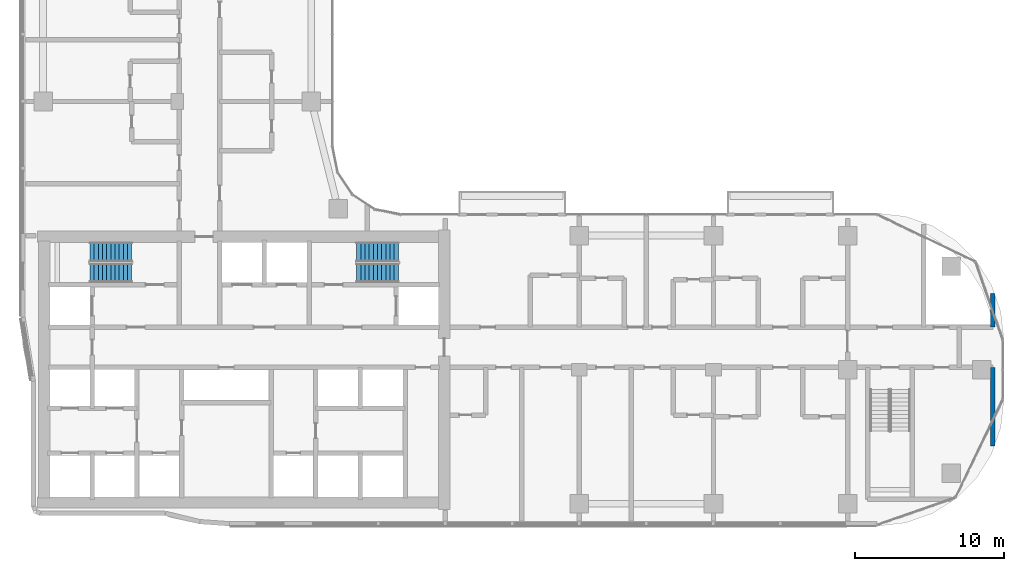
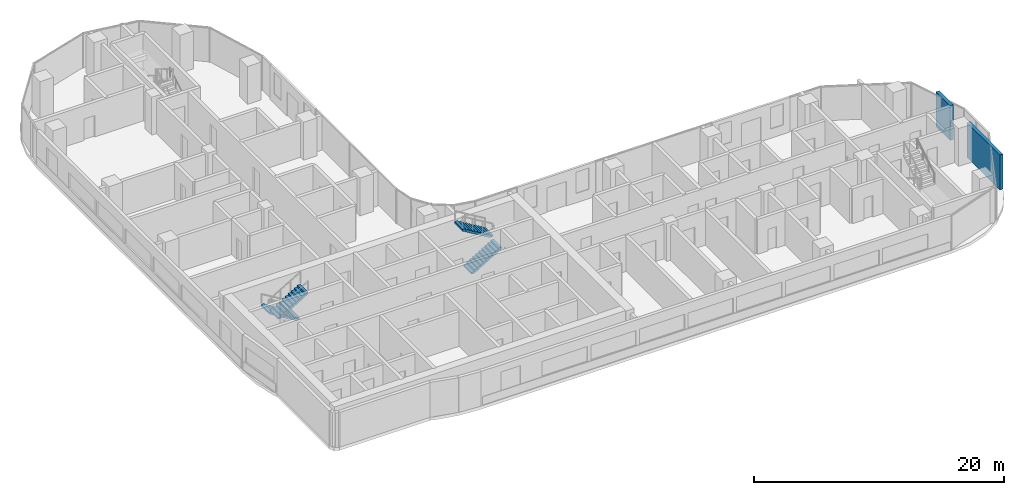
# One storey, part 12 of 21: 4 stair flights, 2 walls, 2 elements without a shape of their own.
"""IFC4 building model written with IfcOpenShell, lengths in metres."""

from ifc_helpers import new_model, si_unit, direction, frame, frame_2d, origin, place, context, subcontext, project, spatial, rectangle, extrude, triangles, source, transform, mapped, material, layer, layer_set, type_object, element, aggregate, save


model = new_model("IFC4")

# Units and contexts
model_context = context("Model", 3, precision=1e-05, world=origin(), true_north=direction((0.0, 1.0)))
body_context = subcontext(model_context, "Body", "Model", "MODEL_VIEW")
ifc_project = project(units=[si_unit("LENGTHUNIT", "METRE"), si_unit("AREAUNIT", "SQUARE_METRE"), si_unit("VOLUMEUNIT", "CUBIC_METRE"), si_unit("PLANEANGLEUNIT", "RADIAN"), si_unit("MASSUNIT", "GRAM", prefix="KILO")], contexts=[model_context])

# Site, building, storey
site_placement = place(None, origin())
site = spatial("IfcSite", under=ifc_project, at=site_placement, CompositionType="ELEMENT")
building_placement = place(site_placement, origin())
building = spatial("IfcBuilding", under=site, at=building_placement, Name="Ogive Portal Towers", CompositionType="ELEMENT")
storey_placement = place(building_placement, frame((0.0, 0.0, 109.300048828125)))
storey = spatial("IfcBuildingStorey", under=building, at=storey_placement, Name="L26", CompositionType="ELEMENT", Elevation=109.300048828125)

# Walls
ifc_material_1 = material(Name="Gypsum board partition on steel studs", Category="steel")
ifc_layer = layer(ifc_material_1, 0.300048828125)
ifc_layer_set = layer_set([ifc_layer], Name="WT-PART-300-EI 60")
wall_type = type_object("IfcWallType", Name="WT-PART-300-EI 60", PredefinedType="PARTITIONING", material=ifc_layer_set)
wall_1_placement = place(storey_placement, frame((95.25, 25.386962890625, 0.0), z_axis=(0.0, 0.0, 1.0), x_axis=(0.0, 1.0, 0.0)))
element("IfcWall", 1, at=wall_1_placement, inside=storey, type_object=wall_type, Name="Wall L26:w066", PredefinedType="PARTITIONING", context=body_context, shape_type="SweptSolid", body=[
    extrude(rectangle(XDim=5.262939453125, YDim=0.300048828125, at=frame_2d((2.63134765625, 0.0))), origin(), (0.0, 0.0, 1.0), 3.39990234375),
])
wall_2_placement = place(storey_placement, frame((95.25, 33.35009765625, 0.0), z_axis=(0.0, 0.0, 1.0), x_axis=(0.0, 1.0, 0.0)))
element("IfcWall", 2, at=wall_2_placement, inside=storey, type_object=wall_type, Name="Wall L26:w067", PredefinedType="PARTITIONING", context=body_context, shape_type="SweptSolid", body=[
    extrude(rectangle(XDim=2.262939453125, YDim=0.300048828125, at=frame_2d((1.13134765625, 0.0))), origin(), (0.0, 0.0, 1.0), 3.39990234375),
])

# Stair, stair flights
ifc_material_2 = material(Name="Concrete C40/50", Category="concrete")
stair_type = type_object("IfcStairType", Name="INT-STAIR", PredefinedType="HALF_TURN_STAIR", material=ifc_material_2)
stair_1_placement = place(storey_placement, origin())
stair_1 = element("IfcStair", 3, at=stair_1_placement, inside=storey, type_object=stair_type, Name="L26 Exit Stair ST-A1", PredefinedType="HALF_TURN_STAIR")
stair_flight_type = type_object("IfcStairFlightType", Name="INT-FLIGHT", PredefinedType="STRAIGHT", material=ifc_material_2)
shared_shape = source(origin(), body_context, "Body", "Tessellation", [
    triangles([(0.0, -0.650146484375, 0.0), (0.0, -0.376220703125, 0.0), (0.0, -0.192626953125, 0.0), (0.0, -0.081298828125, 0.0), (0.0, -0.024169921875, 0.0), (0.0, -0.003173828125, 0.0), (0.0, 0.0, 0.0), (0.0, 0.0029296875, 0.0), (0.0, 0.02392578125, 0.0), (0.0, 0.0810546875, 0.0), (0.0, 0.1923828125, 0.0), (0.0, 0.3759765625, 0.0), (0.0, 0.64990234375, 0.0), (0.0, -0.650146484375, 0.168212890625), (0.0, -0.376220703125, 0.168212890625), (0.0, -0.192626953125, 0.168212890625), (0.0, -0.081298828125, 0.168212890625), (0.0, -0.024169921875, 0.168212890625), (0.0, -0.003173828125, 0.168212890625), (0.0, 0.0, 0.168212890625), (0.0, 0.0029296875, 0.168212890625), (0.0, 0.02392578125, 0.168212890625), (0.0, 0.0810546875, 0.168212890625), (0.0, 0.1923828125, 0.168212890625), (0.0, 0.3759765625, 0.168212890625), (0.0, 0.64990234375, 0.168212890625), (0.280029296875, -0.650146484375, 0.168212890625), (0.280029296875, -0.376220703125, 0.168212890625), (0.280029296875, -0.192626953125, 0.168212890625), (0.280029296875, -0.081298828125, 0.168212890625), (0.280029296875, -0.024169921875, 0.168212890625), (0.280029296875, -0.003173828125, 0.168212890625), (0.280029296875, 0.0, 0.168212890625), (0.280029296875, 0.0029296875, 0.168212890625), (0.280029296875, 0.02392578125, 0.168212890625), (0.280029296875, 0.0810546875, 0.168212890625), (0.280029296875, 0.1923828125, 0.168212890625), (0.280029296875, 0.3759765625, 0.168212890625), (0.280029296875, 0.64990234375, 0.168212890625), (0.280029296875, -0.650146484375, 0.33642578125), (0.280029296875, -0.376220703125, 0.33642578125), (0.280029296875, -0.192626953125, 0.33642578125), (0.280029296875, -0.081298828125, 0.33642578125), (0.280029296875, -0.024169921875, 0.33642578125), (0.280029296875, -0.003173828125, 0.33642578125), (0.280029296875, 0.0, 0.33642578125), (0.280029296875, 0.0029296875, 0.33642578125), (0.280029296875, 0.02392578125, 0.33642578125), (0.280029296875, 0.0810546875, 0.33642578125), (0.280029296875, 0.1923828125, 0.33642578125), (0.280029296875, 0.3759765625, 0.33642578125), (0.280029296875, 0.64990234375, 0.33642578125), (0.56005859375, -0.650146484375, 0.33642578125), (0.56005859375, -0.376220703125, 0.33642578125), (0.56005859375, -0.192626953125, 0.33642578125), (0.56005859375, -0.081298828125, 0.33642578125), (0.56005859375, -0.024169921875, 0.33642578125), (0.56005859375, -0.003173828125, 0.33642578125), (0.56005859375, 0.0, 0.33642578125), (0.56005859375, 0.0029296875, 0.33642578125), (0.56005859375, 0.02392578125, 0.33642578125), (0.56005859375, 0.0810546875, 0.33642578125), (0.56005859375, 0.1923828125, 0.33642578125), (0.56005859375, 0.3759765625, 0.33642578125), (0.56005859375, 0.64990234375, 0.33642578125), (0.56005859375, -0.650146484375, 0.504638671875), (0.56005859375, -0.376220703125, 0.504638671875), (0.56005859375, -0.192626953125, 0.504638671875), (0.56005859375, -0.081298828125, 0.504638671875), (0.56005859375, -0.024169921875, 0.504638671875), (0.56005859375, -0.003173828125, 0.504638671875), (0.56005859375, 0.0, 0.504638671875), (0.56005859375, 0.0029296875, 0.504638671875), (0.56005859375, 0.02392578125, 0.504638671875), (0.56005859375, 0.0810546875, 0.504638671875), (0.56005859375, 0.1923828125, 0.504638671875), (0.56005859375, 0.3759765625, 0.504638671875), (0.56005859375, 0.64990234375, 0.504638671875), (0.840087890625, -0.650146484375, 0.504638671875), (0.840087890625, -0.376220703125, 0.504638671875), (0.840087890625, -0.192626953125, 0.504638671875), (0.840087890625, -0.081298828125, 0.504638671875), (0.840087890625, -0.024169921875, 0.504638671875), (0.840087890625, -0.003173828125, 0.504638671875), (0.840087890625, 0.0, 0.504638671875), (0.840087890625, 0.0029296875, 0.504638671875), (0.840087890625, 0.02392578125, 0.504638671875), (0.840087890625, 0.0810546875, 0.504638671875), (0.840087890625, 0.1923828125, 0.504638671875), (0.840087890625, 0.3759765625, 0.504638671875), (0.840087890625, 0.64990234375, 0.504638671875), (0.840087890625, -0.650146484375, 0.672607421875), (0.840087890625, -0.376220703125, 0.672607421875), (0.840087890625, -0.192626953125, 0.672607421875), (0.840087890625, -0.081298828125, 0.672607421875), (0.840087890625, -0.024169921875, 0.672607421875), (0.840087890625, -0.003173828125, 0.672607421875), (0.840087890625, 0.0, 0.672607421875), (0.840087890625, 0.0029296875, 0.672607421875), (0.840087890625, 0.02392578125, 0.672607421875), (0.840087890625, 0.0810546875, 0.672607421875), (0.840087890625, 0.1923828125, 0.672607421875), (0.840087890625, 0.3759765625, 0.672607421875), (0.840087890625, 0.64990234375, 0.672607421875), (1.1201171875, -0.650146484375, 0.672607421875), (1.1201171875, -0.376220703125, 0.672607421875), (1.1201171875, -0.192626953125, 0.672607421875), (1.1201171875, -0.081298828125, 0.672607421875), (1.1201171875, -0.024169921875, 0.672607421875), (1.1201171875, -0.003173828125, 0.672607421875), (1.1201171875, 0.0, 0.672607421875), (1.1201171875, 0.0029296875, 0.672607421875), (1.1201171875, 0.02392578125, 0.672607421875), (1.1201171875, 0.0810546875, 0.672607421875), (1.1201171875, 0.1923828125, 0.672607421875), (1.1201171875, 0.3759765625, 0.672607421875), (1.1201171875, 0.64990234375, 0.672607421875), (1.1201171875, -0.650146484375, 0.8408203125), (1.1201171875, -0.376220703125, 0.8408203125), (1.1201171875, -0.192626953125, 0.8408203125), (1.1201171875, -0.081298828125, 0.8408203125), (1.1201171875, -0.024169921875, 0.8408203125), (1.1201171875, -0.003173828125, 0.8408203125), (1.1201171875, 0.0, 0.8408203125), (1.1201171875, 0.0029296875, 0.8408203125), (1.1201171875, 0.02392578125, 0.8408203125), (1.1201171875, 0.0810546875, 0.8408203125), (1.1201171875, 0.1923828125, 0.8408203125), (1.1201171875, 0.3759765625, 0.8408203125), (1.1201171875, 0.64990234375, 0.8408203125), (1.39990234375, -0.650146484375, 0.8408203125), (1.39990234375, -0.376220703125, 0.8408203125), (1.39990234375, -0.192626953125, 0.8408203125), (1.39990234375, -0.081298828125, 0.8408203125), (1.39990234375, -0.024169921875, 0.8408203125), (1.39990234375, -0.003173828125, 0.8408203125), (1.39990234375, 0.0, 0.8408203125), (1.39990234375, 0.0029296875, 0.8408203125), (1.39990234375, 0.02392578125, 0.8408203125), (1.39990234375, 0.0810546875, 0.8408203125), (1.39990234375, 0.1923828125, 0.8408203125), (1.39990234375, 0.3759765625, 0.8408203125), (1.39990234375, 0.64990234375, 0.8408203125), (1.39990234375, -0.650146484375, 1.009033203125), (1.39990234375, -0.376220703125, 1.009033203125), (1.39990234375, -0.192626953125, 1.009033203125), (1.39990234375, -0.081298828125, 1.009033203125), (1.39990234375, -0.024169921875, 1.009033203125), (1.39990234375, -0.003173828125, 1.009033203125), (1.39990234375, 0.0, 1.009033203125), (1.39990234375, 0.0029296875, 1.009033203125), (1.39990234375, 0.02392578125, 1.009033203125), (1.39990234375, 0.0810546875, 1.009033203125), (1.39990234375, 0.1923828125, 1.009033203125), (1.39990234375, 0.3759765625, 1.009033203125), (1.39990234375, 0.64990234375, 1.009033203125), (1.679931640625, -0.650146484375, 1.009033203125), (1.679931640625, -0.376220703125, 1.009033203125), (1.679931640625, -0.192626953125, 1.009033203125), (1.679931640625, -0.081298828125, 1.009033203125), (1.679931640625, -0.024169921875, 1.009033203125), (1.679931640625, -0.003173828125, 1.009033203125), (1.679931640625, 0.0, 1.009033203125), (1.679931640625, 0.0029296875, 1.009033203125), (1.679931640625, 0.02392578125, 1.009033203125), (1.679931640625, 0.0810546875, 1.009033203125), (1.679931640625, 0.1923828125, 1.009033203125), (1.679931640625, 0.3759765625, 1.009033203125), (1.679931640625, 0.64990234375, 1.009033203125), (1.679931640625, -0.650146484375, 1.17724609375), (1.679931640625, -0.376220703125, 1.17724609375), (1.679931640625, -0.192626953125, 1.17724609375), (1.679931640625, -0.081298828125, 1.17724609375), (1.679931640625, -0.024169921875, 1.17724609375), (1.679931640625, -0.003173828125, 1.17724609375), (1.679931640625, 0.0, 1.17724609375), (1.679931640625, 0.0029296875, 1.17724609375), (1.679931640625, 0.02392578125, 1.17724609375), (1.679931640625, 0.0810546875, 1.17724609375), (1.679931640625, 0.1923828125, 1.17724609375), (1.679931640625, 0.3759765625, 1.17724609375), (1.679931640625, 0.64990234375, 1.17724609375), (1.9599609375, -0.650146484375, 1.17724609375), (1.9599609375, -0.376220703125, 1.17724609375), (1.9599609375, -0.192626953125, 1.17724609375), (1.9599609375, -0.081298828125, 1.17724609375), (1.9599609375, -0.024169921875, 1.17724609375), (1.9599609375, -0.003173828125, 1.17724609375), (1.9599609375, 0.0, 1.17724609375), (1.9599609375, 0.0029296875, 1.17724609375), (1.9599609375, 0.02392578125, 1.17724609375), (1.9599609375, 0.0810546875, 1.17724609375), (1.9599609375, 0.1923828125, 1.17724609375), (1.9599609375, 0.3759765625, 1.17724609375), (1.9599609375, 0.64990234375, 1.17724609375), (1.9599609375, -0.650146484375, 1.345458984375), (1.9599609375, -0.376220703125, 1.345458984375), (1.9599609375, -0.192626953125, 1.345458984375), (1.9599609375, -0.081298828125, 1.345458984375), (1.9599609375, -0.024169921875, 1.345458984375), (1.9599609375, -0.003173828125, 1.345458984375), (1.9599609375, 0.0, 1.345458984375), (1.9599609375, 0.0029296875, 1.345458984375), (1.9599609375, 0.02392578125, 1.345458984375), (1.9599609375, 0.0810546875, 1.345458984375), (1.9599609375, 0.1923828125, 1.345458984375), (1.9599609375, 0.3759765625, 1.345458984375), (1.9599609375, 0.64990234375, 1.345458984375), (2.239990234375, -0.650146484375, 1.345458984375), (2.239990234375, -0.376220703125, 1.345458984375), (2.239990234375, -0.192626953125, 1.345458984375), (2.239990234375, -0.081298828125, 1.345458984375), (2.239990234375, -0.024169921875, 1.345458984375), (2.239990234375, -0.003173828125, 1.345458984375), (2.239990234375, 0.0, 1.345458984375), (2.239990234375, 0.0029296875, 1.345458984375), (2.239990234375, 0.02392578125, 1.345458984375), (2.239990234375, 0.0810546875, 1.345458984375), (2.239990234375, 0.1923828125, 1.345458984375), (2.239990234375, 0.3759765625, 1.345458984375), (2.239990234375, 0.64990234375, 1.345458984375), (2.239990234375, -0.650146484375, 1.513671875), (2.239990234375, -0.376220703125, 1.513671875), (2.239990234375, -0.192626953125, 1.513671875), (2.239990234375, -0.081298828125, 1.513671875), (2.239990234375, -0.024169921875, 1.513671875), (2.239990234375, -0.003173828125, 1.513671875), (2.239990234375, 0.0, 1.513671875), (2.239990234375, 0.0029296875, 1.513671875), (2.239990234375, 0.02392578125, 1.513671875), (2.239990234375, 0.0810546875, 1.513671875), (2.239990234375, 0.1923828125, 1.513671875), (2.239990234375, 0.3759765625, 1.513671875), (2.239990234375, 0.64990234375, 1.513671875), (2.52001953125, -0.650146484375, 1.513671875), (2.52001953125, -0.376220703125, 1.513671875), (2.52001953125, -0.192626953125, 1.513671875), (2.52001953125, -0.081298828125, 1.513671875), (2.52001953125, -0.024169921875, 1.513671875), (2.52001953125, -0.003173828125, 1.513671875), (2.52001953125, 0.0, 1.513671875), (2.52001953125, 0.0029296875, 1.513671875), (2.52001953125, 0.02392578125, 1.513671875), (2.52001953125, 0.0810546875, 1.513671875), (2.52001953125, 0.1923828125, 1.513671875), (2.52001953125, 0.3759765625, 1.513671875), (2.52001953125, 0.64990234375, 1.513671875), (2.52001953125, -0.650146484375, 1.681884765625), (2.52001953125, -0.376220703125, 1.681884765625), (2.52001953125, -0.192626953125, 1.681884765625), (2.52001953125, -0.081298828125, 1.681884765625), (2.52001953125, -0.024169921875, 1.681884765625), (2.52001953125, -0.003173828125, 1.681884765625), (2.52001953125, 0.0, 1.681884765625), (2.52001953125, 0.0029296875, 1.681884765625), (2.52001953125, 0.02392578125, 1.681884765625), (2.52001953125, 0.0810546875, 1.681884765625), (2.52001953125, 0.1923828125, 1.681884765625), (2.52001953125, 0.3759765625, 1.681884765625), (2.52001953125, 0.64990234375, 1.681884765625), (2.800048828125, -0.650146484375, 1.681884765625), (2.800048828125, -0.376220703125, 1.681884765625), (2.800048828125, -0.192626953125, 1.681884765625), (2.800048828125, -0.081298828125, 1.681884765625), (2.800048828125, -0.024169921875, 1.681884765625), (2.800048828125, -0.003173828125, 1.681884765625), (2.800048828125, 0.0, 1.681884765625), (2.800048828125, 0.0029296875, 1.681884765625), (2.800048828125, 0.02392578125, 1.681884765625), (2.800048828125, 0.0810546875, 1.681884765625), (2.800048828125, 0.1923828125, 1.681884765625), (2.800048828125, 0.3759765625, 1.681884765625), (2.800048828125, 0.64990234375, 1.681884765625), (2.800048828125, -0.650146484375, 1.5068359375), (2.800048828125, -0.376220703125, 1.5068359375), (2.800048828125, -0.192626953125, 1.5068359375), (2.800048828125, -0.081298828125, 1.5068359375), (2.800048828125, -0.024169921875, 1.5068359375), (2.800048828125, -0.003173828125, 1.5068359375), (2.800048828125, 0.0, 1.5068359375), (2.800048828125, 0.0029296875, 1.5068359375), (2.800048828125, 0.02392578125, 1.5068359375), (2.800048828125, 0.0810546875, 1.5068359375), (2.800048828125, 0.1923828125, 1.5068359375), (2.800048828125, 0.3759765625, 1.5068359375), (2.800048828125, 0.64990234375, 1.5068359375), (0.291015625, -0.650146484375, 0.0), (0.291015625, -0.376220703125, 0.0), (0.291015625, -0.192626953125, 0.0), (0.291015625, -0.081298828125, 0.0), (0.291015625, -0.024169921875, 0.0), (0.291015625, -0.003173828125, 0.0), (0.291015625, 0.0, 0.0), (0.291015625, 0.0029296875, 0.0), (0.291015625, 0.02392578125, 0.0), (0.291015625, 0.0810546875, 0.0), (0.291015625, 0.1923828125, 0.0), (0.291015625, 0.3759765625, 0.0), (0.291015625, 0.64990234375, 0.0)], [[1, 14, 15], [1, 15, 2], [2, 15, 16], [2, 16, 3], [3, 16, 17], [3, 17, 4], [4, 17, 18], [4, 18, 5], [5, 18, 19], [5, 19, 6], [6, 19, 20], [6, 20, 7], [7, 20, 21], [7, 21, 8], [8, 21, 22], [8, 22, 9], [9, 22, 23], [9, 23, 10], [10, 23, 24], [10, 24, 11], [11, 24, 25], [11, 25, 12], [12, 25, 26], [12, 26, 13], [14, 27, 28], [14, 28, 15], [15, 28, 29], [15, 29, 16], [16, 29, 30], [16, 30, 17], [17, 30, 31], [17, 31, 18], [18, 31, 32], [18, 32, 19], [19, 32, 33], [19, 33, 20], [20, 33, 34], [20, 34, 21], [21, 34, 35], [21, 35, 22], [22, 35, 36], [22, 36, 23], [23, 36, 37], [23, 37, 24], [24, 37, 38], [24, 38, 25], [25, 38, 39], [25, 39, 26], [27, 40, 41], [27, 41, 28], [28, 41, 42], [28, 42, 29], [29, 42, 43], [29, 43, 30], [30, 43, 44], [30, 44, 31], [31, 44, 45], [31, 45, 32], [32, 45, 46], [32, 46, 33], [33, 46, 47], [33, 47, 34], [34, 47, 48], [34, 48, 35], [35, 48, 49], [35, 49, 36], [36, 49, 50], [36, 50, 37], [37, 50, 51], [37, 51, 38], [38, 51, 52], [38, 52, 39], [40, 53, 54], [40, 54, 41], [41, 54, 55], [41, 55, 42], [42, 55, 56], [42, 56, 43], [43, 56, 57], [43, 57, 44], [44, 57, 58], [44, 58, 45], [45, 58, 59], [45, 59, 46], [46, 59, 60], [46, 60, 47], [47, 60, 61], [47, 61, 48], [48, 61, 62], [48, 62, 49], [49, 62, 63], [49, 63, 50], [50, 63, 64], [50, 64, 51], [51, 64, 65], [51, 65, 52], [53, 66, 67], [53, 67, 54], [54, 67, 68], [54, 68, 55], [55, 68, 69], [55, 69, 56], [56, 69, 70], [56, 70, 57], [57, 70, 71], [57, 71, 58], [58, 71, 72], [58, 72, 59], [59, 72, 73], [59, 73, 60], [60, 73, 74], [60, 74, 61], [61, 74, 75], [61, 75, 62], [62, 75, 76], [62, 76, 63], [63, 76, 77], [63, 77, 64], [64, 77, 78], [64, 78, 65], [66, 79, 80], [66, 80, 67], [67, 80, 81], [67, 81, 68], [68, 81, 82], [68, 82, 69], [69, 82, 83], [69, 83, 70], [70, 83, 84], [70, 84, 71], [71, 84, 85], [71, 85, 72], [72, 85, 86], [72, 86, 73], [73, 86, 87], [73, 87, 74], [74, 87, 88], [74, 88, 75], [75, 88, 89], [75, 89, 76], [76, 89, 90], [76, 90, 77], [77, 90, 91], [77, 91, 78], [79, 92, 93], [79, 93, 80], [80, 93, 94], [80, 94, 81], [81, 94, 95], [81, 95, 82], [82, 95, 96], [82, 96, 83], [83, 96, 97], [83, 97, 84], [84, 97, 98], [84, 98, 85], [85, 98, 99], [85, 99, 86], [86, 99, 100], [86, 100, 87], [87, 100, 101], [87, 101, 88], [88, 101, 102], [88, 102, 89], [89, 102, 103], [89, 103, 90], [90, 103, 104], [90, 104, 91], [92, 105, 106], [92, 106, 93], [93, 106, 107], [93, 107, 94], [94, 107, 108], [94, 108, 95], [95, 108, 109], [95, 109, 96], [96, 109, 110], [96, 110, 97], [97, 110, 111], [97, 111, 98], [98, 111, 112], [98, 112, 99], [99, 112, 113], [99, 113, 100], [100, 113, 114], [100, 114, 101], [101, 114, 115], [101, 115, 102], [102, 115, 116], [102, 116, 103], [103, 116, 117], [103, 117, 104], [105, 118, 119], [105, 119, 106], [106, 119, 120], [106, 120, 107], [107, 120, 121], [107, 121, 108], [108, 121, 122], [108, 122, 109], [109, 122, 123], [109, 123, 110], [110, 123, 124], [110, 124, 111], [111, 124, 125], [111, 125, 112], [112, 125, 126], [112, 126, 113], [113, 126, 127], [113, 127, 114], [114, 127, 128], [114, 128, 115], [115, 128, 129], [115, 129, 116], [116, 129, 130], [116, 130, 117], [118, 131, 132], [118, 132, 119], [119, 132, 133], [119, 133, 120], [120, 133, 134], [120, 134, 121], [121, 134, 135], [121, 135, 122], [122, 135, 136], [122, 136, 123], [123, 136, 137], [123, 137, 124], [124, 137, 138], [124, 138, 125], [125, 138, 139], [125, 139, 126], [126, 139, 140], [126, 140, 127], [127, 140, 141], [127, 141, 128], [128, 141, 142], [128, 142, 129], [129, 142, 143], [129, 143, 130], [131, 144, 145], [131, 145, 132], [132, 145, 146], [132, 146, 133], [133, 146, 147], [133, 147, 134], [134, 147, 148], [134, 148, 135], [135, 148, 149], [135, 149, 136], [136, 149, 150], [136, 150, 137], [137, 150, 151], [137, 151, 138], [138, 151, 152], [138, 152, 139], [139, 152, 153], [139, 153, 140], [140, 153, 154], [140, 154, 141], [141, 154, 155], [141, 155, 142], [142, 155, 156], [142, 156, 143], [144, 157, 158], [144, 158, 145], [145, 158, 159], [145, 159, 146], [146, 159, 160], [146, 160, 147], [147, 160, 161], [147, 161, 148], [148, 161, 162], [148, 162, 149], [149, 162, 163], [149, 163, 150], [150, 163, 164], [150, 164, 151], [151, 164, 165], [151, 165, 152], [152, 165, 166], [152, 166, 153], [153, 166, 167], [153, 167, 154], [154, 167, 168], [154, 168, 155], [155, 168, 169], [155, 169, 156], [157, 170, 171], [157, 171, 158], [158, 171, 172], [158, 172, 159], [159, 172, 173], [159, 173, 160], [160, 173, 174], [160, 174, 161], [161, 174, 175], [161, 175, 162], [162, 175, 176], [162, 176, 163], [163, 176, 177], [163, 177, 164], [164, 177, 178], [164, 178, 165], [165, 178, 179], [165, 179, 166], [166, 179, 180], [166, 180, 167], [167, 180, 181], [167, 181, 168], [168, 181, 182], [168, 182, 169], [170, 183, 184], [170, 184, 171], [171, 184, 185], [171, 185, 172], [172, 185, 186], [172, 186, 173], [173, 186, 187], [173, 187, 174], [174, 187, 188], [174, 188, 175], [175, 188, 189], [175, 189, 176], [176, 189, 190], [176, 190, 177], [177, 190, 191], [177, 191, 178], [178, 191, 192], [178, 192, 179], [179, 192, 193], [179, 193, 180], [180, 193, 194], [180, 194, 181], [181, 194, 195], [181, 195, 182], [183, 196, 197], [183, 197, 184], [184, 197, 198], [184, 198, 185], [185, 198, 199], [185, 199, 186], [186, 199, 200], [186, 200, 187], [187, 200, 201], [187, 201, 188], [188, 201, 202], [188, 202, 189], [189, 202, 203], [189, 203, 190], [190, 203, 204], [190, 204, 191], [191, 204, 205], [191, 205, 192], [192, 205, 206], [192, 206, 193], [193, 206, 207], [193, 207, 194], [194, 207, 208], [194, 208, 195], [196, 209, 210], [196, 210, 197], [197, 210, 211], [197, 211, 198], [198, 211, 212], [198, 212, 199], [199, 212, 213], [199, 213, 200], [200, 213, 214], [200, 214, 201], [201, 214, 215], [201, 215, 202], [202, 215, 216], [202, 216, 203], [203, 216, 217], [203, 217, 204], [204, 217, 218], [204, 218, 205], [205, 218, 219], [205, 219, 206], [206, 219, 220], [206, 220, 207], [207, 220, 221], [207, 221, 208], [209, 222, 223], [209, 223, 210], [210, 223, 224], [210, 224, 211], [211, 224, 225], [211, 225, 212], [212, 225, 226], [212, 226, 213], [213, 226, 227], [213, 227, 214], [214, 227, 228], [214, 228, 215], [215, 228, 229], [215, 229, 216], [216, 229, 230], [216, 230, 217], [217, 230, 231], [217, 231, 218], [218, 231, 232], [218, 232, 219], [219, 232, 233], [219, 233, 220], [220, 233, 234], [220, 234, 221], [222, 235, 236], [222, 236, 223], [223, 236, 237], [223, 237, 224], [224, 237, 238], [224, 238, 225], [225, 238, 239], [225, 239, 226], [226, 239, 240], [226, 240, 227], [227, 240, 241], [227, 241, 228], [228, 241, 242], [228, 242, 229], [229, 242, 243], [229, 243, 230], [230, 243, 244], [230, 244, 231], [231, 244, 245], [231, 245, 232], [232, 245, 246], [232, 246, 233], [233, 246, 247], [233, 247, 234], [235, 248, 249], [235, 249, 236], [236, 249, 250], [236, 250, 237], [237, 250, 251], [237, 251, 238], [238, 251, 252], [238, 252, 239], [239, 252, 253], [239, 253, 240], [240, 253, 254], [240, 254, 241], [241, 254, 255], [241, 255, 242], [242, 255, 256], [242, 256, 243], [243, 256, 257], [243, 257, 244], [244, 257, 258], [244, 258, 245], [245, 258, 259], [245, 259, 246], [246, 259, 260], [246, 260, 247], [248, 261, 262], [248, 262, 249], [249, 262, 263], [249, 263, 250], [250, 263, 264], [250, 264, 251], [251, 264, 265], [251, 265, 252], [252, 265, 266], [252, 266, 253], [253, 266, 267], [253, 267, 254], [254, 267, 268], [254, 268, 255], [255, 268, 269], [255, 269, 256], [256, 269, 270], [256, 270, 257], [257, 270, 271], [257, 271, 258], [258, 271, 272], [258, 272, 259], [259, 272, 273], [259, 273, 260], [261, 274, 275], [261, 275, 262], [262, 275, 276], [262, 276, 263], [263, 276, 277], [263, 277, 264], [264, 277, 278], [264, 278, 265], [265, 278, 279], [265, 279, 266], [266, 279, 280], [266, 280, 267], [267, 280, 281], [267, 281, 268], [268, 281, 282], [268, 282, 269], [269, 282, 283], [269, 283, 270], [270, 283, 284], [270, 284, 271], [271, 284, 285], [271, 285, 272], [272, 285, 286], [272, 286, 273], [274, 287, 288], [274, 288, 275], [275, 288, 289], [275, 289, 276], [276, 289, 290], [276, 290, 277], [277, 290, 291], [277, 291, 278], [278, 291, 292], [278, 292, 279], [279, 292, 293], [279, 293, 280], [280, 293, 294], [280, 294, 281], [281, 294, 295], [281, 295, 282], [282, 295, 296], [282, 296, 283], [283, 296, 297], [283, 297, 284], [284, 297, 298], [284, 298, 285], [285, 298, 299], [285, 299, 286], [287, 1, 2], [287, 2, 288], [288, 2, 3], [288, 3, 289], [289, 3, 4], [289, 4, 290], [290, 4, 5], [290, 5, 291], [291, 5, 6], [291, 6, 292], [292, 6, 7], [292, 7, 293], [293, 7, 8], [293, 8, 294], [294, 8, 9], [294, 9, 295], [295, 9, 10], [295, 10, 296], [296, 10, 11], [296, 11, 297], [297, 11, 12], [297, 12, 298], [298, 12, 13], [298, 13, 299], [1, 287, 274], [13, 286, 299], [274, 261, 248], [286, 260, 273], [274, 248, 235], [286, 247, 260], [274, 235, 222], [286, 234, 247], [274, 222, 209], [286, 221, 234], [209, 196, 183], [221, 195, 208], [274, 209, 183], [286, 195, 221], [183, 170, 157], [195, 169, 182], [274, 183, 157], [286, 169, 195], [157, 144, 131], [169, 143, 156], [274, 157, 131], [286, 143, 169], [131, 118, 105], [143, 117, 130], [274, 131, 105], [286, 117, 143], [1, 274, 105], [13, 117, 286], [105, 92, 79], [117, 91, 104], [79, 66, 53], [91, 65, 78], [105, 79, 53], [117, 65, 91], [53, 40, 27], [65, 39, 52], [105, 53, 27], [117, 39, 65], [1, 105, 27], [13, 39, 117], [27, 14, 1], [39, 13, 26]], closed=True),
])
stair_flight_1_placement = place(storey_placement, frame((37.449951171875, 38.39990234375, 0.0), z_axis=(0.0, 0.0, 1.0), x_axis=(-1.0, 0.0, 0.0)))
stair_flight_1 = element("IfcStairFlight", 4, at=stair_flight_1_placement, type_object=stair_flight_type, Name="ST-A1 flight 1", NumberOfRisers=11, NumberOfTreads=10, PredefinedType="STRAIGHT", RiserHeight=0.168181818, TreadLength=0.28, context=body_context, shape_type="MappedRepresentation", body=[
    mapped(shared_shape, transform((0.0, 0.0, 0.0), scale=1.0)),
])
stair_flight_2_placement = place(storey_placement, frame((34.64990234375, 37.0, 1.849853515625), z_axis=(0.0, 0.0, 1.0), x_axis=(1.0, 0.0, 0.0)))
stair_flight_2 = element("IfcStairFlight", 5, at=stair_flight_2_placement, type_object=stair_flight_type, Name="ST-A1 flight 2", NumberOfRisers=11, NumberOfTreads=10, PredefinedType="STRAIGHT", RiserHeight=0.168181818, TreadLength=0.28, context=body_context, shape_type="MappedRepresentation", body=[
    mapped(shared_shape, transform((0.0, 0.0, 0.0), scale=1.0)),
])
aggregate(stair_1, [stair_flight_1, stair_flight_2])

stair_2_placement = place(storey_placement, origin())
stair_2 = element("IfcStair", 6, at=stair_2_placement, inside=storey, type_object=stair_type, Name="L26 Exit Stair ST-A2", PredefinedType="HALF_TURN_STAIR")
stair_flight_3_placement = place(storey_placement, frame((52.550048828125, 37.0, 0.0), z_axis=(0.0, 0.0, 1.0), x_axis=(1.0, 0.0, 0.0)))
stair_flight_3 = element("IfcStairFlight", 7, at=stair_flight_3_placement, type_object=stair_flight_type, Name="ST-A2 flight 1", NumberOfRisers=11, NumberOfTreads=10, PredefinedType="STRAIGHT", RiserHeight=0.168181818, TreadLength=0.28, context=body_context, shape_type="MappedRepresentation", body=[
    mapped(shared_shape, transform((0.0, 0.0, 0.0), scale=1.0)),
])
stair_flight_4_placement = place(storey_placement, frame((55.35009765625, 38.39990234375, 1.849853515625), z_axis=(0.0, 0.0, 1.0), x_axis=(-1.0, 0.0, 0.0)))
stair_flight_4 = element("IfcStairFlight", 8, at=stair_flight_4_placement, type_object=stair_flight_type, Name="ST-A2 flight 2", NumberOfRisers=11, NumberOfTreads=10, PredefinedType="STRAIGHT", RiserHeight=0.168181818, TreadLength=0.28, context=body_context, shape_type="MappedRepresentation", body=[
    mapped(shared_shape, transform((0.0, 0.0, 0.0), scale=1.0)),
])
aggregate(stair_2, [stair_flight_3, stair_flight_4])

save(model, "model.ifc")
